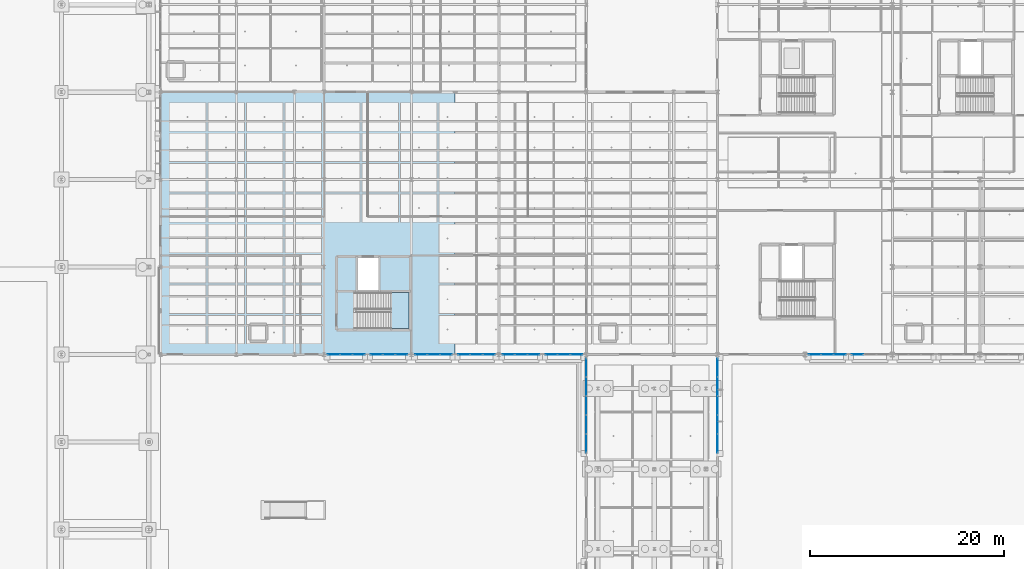
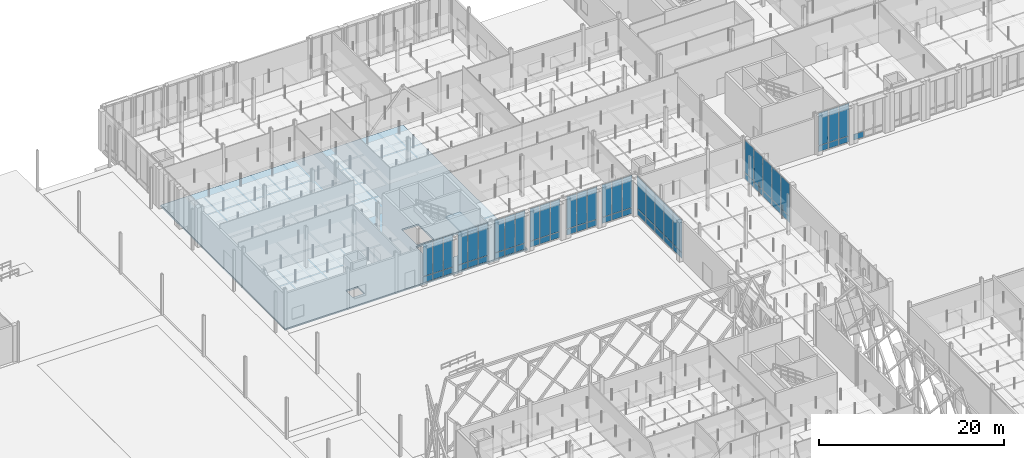
# One storey, part 72 of 180: 63 plates, 2 slabs, 11 elements without a shape of their own.
"""IFC4 building model written with IfcOpenShell, lengths in metres."""

from ifc_helpers import new_model, si_unit, direction, frame, origin, origin_2d, place, context, subcontext, project, spatial, polyline, rectangle, outline, extrude, material, layer, layer_set, type_object, element, aggregate, save


model = new_model("IFC4")

# Units and contexts
model_context = context("Model", 3, precision=1e-05, world=origin(), true_north=direction((0.0, 1.0)))
body_context = subcontext(model_context, "Body", "Model", "MODEL_VIEW")
ifc_project = project(units=[si_unit("LENGTHUNIT", "METRE"), si_unit("AREAUNIT", "SQUARE_METRE"), si_unit("VOLUMEUNIT", "CUBIC_METRE"), si_unit("PLANEANGLEUNIT", "RADIAN"), si_unit("MASSUNIT", "GRAM", prefix="KILO"), si_unit("THERMODYNAMICTEMPERATUREUNIT", "KELVIN"), si_unit("POWERUNIT", "WATT")], contexts=[model_context])

# Site, building, storey
site_placement = place(None, origin())
site = spatial("IfcSite", under=ifc_project, at=site_placement, CompositionType="ELEMENT")
building_placement = place(site_placement, origin())
building = spatial("IfcBuilding", under=site, at=building_placement, Name="Tallowbark Science Centre", CompositionType="ELEMENT")
storey_placement = place(building_placement, origin())
storey = spatial("IfcBuildingStorey", under=building, at=storey_placement, Name="L00", CompositionType="ELEMENT", Elevation=0.0)

# Curtain wall, plates
ifc_material_1 = material(Name="Unitised Thermally Broken Aluminium and Low-E Double Glazing", Category="aluminium")
curtain_wall_type = type_object("IfcCurtainWallType", Name="CW-SYS-FACADE", PredefinedType="NOTDEFINED", material=ifc_material_1)
curtain_wall_1_placement = place(storey_placement, origin())
curtain_wall_1 = element("IfcCurtainWall", 1, at=curtain_wall_1_placement, inside=storey, type_object=curtain_wall_type, Name="Unitised Curtain Wall LNK-W-2 CW-L00-008", PredefinedType="NOTDEFINED")
ifc_material_2 = material(Name="Double Glazed Argon Low-E Vision Glass", Category="glass")
ifc_layer_1 = layer(ifc_material_2, 0.028076171875)
ifc_layer_set_1 = layer_set([ifc_layer_1], Name="Double Glazed Argon Low-E Vision Glass")
plate_type_1 = type_object("IfcPlateType", Name="CWP-GLZ-28", PredefinedType="CURTAIN_PANEL", material=ifc_layer_set_1)
plate_1_placement = place(storey_placement, frame((99.0, 70.65380859375, 0.054931640625), z_axis=(0.0, 0.0, 1.0), x_axis=(0.0, -1.0, 0.0)))
plate_1 = element("IfcPlate", 2, at=plate_1_placement, type_object=plate_type_1, Name="CW-01 panel 1.1", PredefinedType="CURTAIN_PANEL", context=body_context, shape_type="SweptSolid", body=[
    extrude(rectangle(XDim=1.862548828125, YDim=0.028076171875, at=origin_2d()), origin(), (0.0, 0.0, 1.0), 0.767578125),
])
plate_2_placement = place(storey_placement, frame((99.0, 70.65380859375, 0.87744140625), z_axis=(0.0, 0.0, 1.0), x_axis=(0.0, -1.0, 0.0)))
plate_2 = element("IfcPlate", 3, at=plate_2_placement, type_object=plate_type_1, Name="CW-01 panel 1.2", PredefinedType="CURTAIN_PANEL", context=body_context, shape_type="SweptSolid", body=[
    extrude(rectangle(XDim=1.862548828125, YDim=0.028076171875, at=origin_2d()), origin(), (0.0, 0.0, 1.0), 4.28759765625),
])
plate_3_placement = place(storey_placement, frame((99.0, 68.7099609375, 0.054931640625), z_axis=(0.0, 0.0, 1.0), x_axis=(0.0, -1.0, 0.0)))
plate_3 = element("IfcPlate", 4, at=plate_3_placement, type_object=plate_type_1, Name="CW-01 panel 2.1", PredefinedType="CURTAIN_PANEL", context=body_context, shape_type="SweptSolid", body=[
    extrude(rectangle(XDim=1.89501953125, YDim=0.028076171875, at=origin_2d()), origin(), (0.0, 0.0, 1.0), 0.767578125),
])
plate_4_placement = place(storey_placement, frame((99.0, 68.7099609375, 0.87744140625), z_axis=(0.0, 0.0, 1.0), x_axis=(0.0, -1.0, 0.0)))
plate_4 = element("IfcPlate", 5, at=plate_4_placement, type_object=plate_type_1, Name="CW-01 panel 2.2", PredefinedType="CURTAIN_PANEL", context=body_context, shape_type="SweptSolid", body=[
    extrude(rectangle(XDim=1.89501953125, YDim=0.028076171875, at=origin_2d()), origin(), (0.0, 0.0, 1.0), 4.28759765625),
])
plate_5_placement = place(storey_placement, frame((99.0, 66.75, 0.054931640625), z_axis=(0.0, 0.0, 1.0), x_axis=(0.0, -1.0, 0.0)))
plate_5 = element("IfcPlate", 6, at=plate_5_placement, type_object=plate_type_1, Name="CW-01 panel 3.1", PredefinedType="CURTAIN_PANEL", context=body_context, shape_type="SweptSolid", body=[
    extrude(rectangle(XDim=1.89501953125, YDim=0.028076171875, at=origin_2d()), origin(), (0.0, 0.0, 1.0), 0.767578125),
])
plate_6_placement = place(storey_placement, frame((99.0, 66.75, 0.87744140625), z_axis=(0.0, 0.0, 1.0), x_axis=(0.0, -1.0, 0.0)))
plate_6 = element("IfcPlate", 7, at=plate_6_placement, type_object=plate_type_1, Name="CW-01 panel 3.2", PredefinedType="CURTAIN_PANEL", context=body_context, shape_type="SweptSolid", body=[
    extrude(rectangle(XDim=1.89501953125, YDim=0.028076171875, at=origin_2d()), origin(), (0.0, 0.0, 1.0), 4.28759765625),
])
plate_7_placement = place(storey_placement, frame((99.0, 64.7900390625, 0.054931640625), z_axis=(0.0, 0.0, 1.0), x_axis=(0.0, -1.0, 0.0)))
plate_7 = element("IfcPlate", 8, at=plate_7_placement, type_object=plate_type_1, Name="CW-01 panel 4.1", PredefinedType="CURTAIN_PANEL", context=body_context, shape_type="SweptSolid", body=[
    extrude(rectangle(XDim=1.89501953125, YDim=0.028076171875, at=origin_2d()), origin(), (0.0, 0.0, 1.0), 0.767578125),
])
plate_8_placement = place(storey_placement, frame((99.0, 64.7900390625, 0.87744140625), z_axis=(0.0, 0.0, 1.0), x_axis=(0.0, -1.0, 0.0)))
plate_8 = element("IfcPlate", 9, at=plate_8_placement, type_object=plate_type_1, Name="CW-01 panel 4.2", PredefinedType="CURTAIN_PANEL", context=body_context, shape_type="SweptSolid", body=[
    extrude(rectangle(XDim=1.89501953125, YDim=0.028076171875, at=origin_2d()), origin(), (0.0, 0.0, 1.0), 4.28759765625),
])
plate_9_placement = place(storey_placement, frame((99.0, 62.84619140625, 0.054931640625), z_axis=(0.0, 0.0, 1.0), x_axis=(0.0, -1.0, 0.0)))
plate_9 = element("IfcPlate", 10, at=plate_9_placement, type_object=plate_type_1, Name="CW-01 panel 5.1", PredefinedType="CURTAIN_PANEL", context=body_context, shape_type="SweptSolid", body=[
    extrude(rectangle(XDim=1.862548828125, YDim=0.028076171875, at=origin_2d()), origin(), (0.0, 0.0, 1.0), 0.767578125),
])
plate_10_placement = place(storey_placement, frame((99.0, 62.84619140625, 0.87744140625), z_axis=(0.0, 0.0, 1.0), x_axis=(0.0, -1.0, 0.0)))
plate_10 = element("IfcPlate", 11, at=plate_10_placement, type_object=plate_type_1, Name="CW-01 panel 5.2", PredefinedType="CURTAIN_PANEL", context=body_context, shape_type="SweptSolid", body=[
    extrude(rectangle(XDim=1.862548828125, YDim=0.028076171875, at=origin_2d()), origin(), (0.0, 0.0, 1.0), 4.28759765625),
])
aggregate(curtain_wall_1, [plate_1, plate_2, plate_3, plate_4, plate_5, plate_6, plate_7, plate_8, plate_9, plate_10])

curtain_wall_2_placement = place(storey_placement, origin())
curtain_wall_2 = element("IfcCurtainWall", 12, at=curtain_wall_2_placement, inside=storey, type_object=curtain_wall_type, Name="Unitised Curtain Wall LAB-S-72A CW-L00-022", PredefinedType="NOTDEFINED")
plate_11_placement = place(storey_placement, frame((73.016357421875, 72.0, 0.054931640625), z_axis=(0.0, 0.0, 1.0), x_axis=(1.0, 0.0, 0.0)))
plate_11 = element("IfcPlate", 13, at=plate_11_placement, type_object=plate_type_1, Name="CW-01 panel 1.1", PredefinedType="CURTAIN_PANEL", context=body_context, shape_type="SweptSolid", body=[
    extrude(rectangle(XDim=1.202392578125, YDim=0.028076171875, at=origin_2d()), origin(), (0.0, 0.0, 1.0), 0.767578125),
])
plate_12_placement = place(storey_placement, frame((73.016357421875, 72.0, 0.87744140625), z_axis=(0.0, 0.0, 1.0), x_axis=(1.0, 0.0, 0.0)))
plate_12 = element("IfcPlate", 14, at=plate_12_placement, type_object=plate_type_1, Name="CW-01 panel 1.2", PredefinedType="CURTAIN_PANEL", context=body_context, shape_type="SweptSolid", body=[
    extrude(rectangle(XDim=1.202392578125, YDim=0.028076171875, at=origin_2d()), origin(), (0.0, 0.0, 1.0), 4.28759765625),
])
plate_13_placement = place(storey_placement, frame((74.300048828125, 72.0, 0.054931640625), z_axis=(0.0, 0.0, 1.0), x_axis=(1.0, 0.0, 0.0)))
plate_13 = element("IfcPlate", 15, at=plate_13_placement, type_object=plate_type_1, Name="CW-01 panel 2.1", PredefinedType="CURTAIN_PANEL", context=body_context, shape_type="SweptSolid", body=[
    extrude(rectangle(XDim=1.235107421875, YDim=0.028076171875, at=origin_2d()), origin(), (0.0, 0.0, 1.0), 0.767578125),
])
plate_14_placement = place(storey_placement, frame((74.300048828125, 72.0, 0.87744140625), z_axis=(0.0, 0.0, 1.0), x_axis=(1.0, 0.0, 0.0)))
plate_14 = element("IfcPlate", 16, at=plate_14_placement, type_object=plate_type_1, Name="CW-01 panel 2.2", PredefinedType="CURTAIN_PANEL", context=body_context, shape_type="SweptSolid", body=[
    extrude(rectangle(XDim=1.235107421875, YDim=0.028076171875, at=origin_2d()), origin(), (0.0, 0.0, 1.0), 4.28759765625),
])
plate_15_placement = place(storey_placement, frame((75.583740234375, 72.0, 0.054931640625), z_axis=(0.0, 0.0, 1.0), x_axis=(1.0, 0.0, 0.0)))
plate_15 = element("IfcPlate", 17, at=plate_15_placement, type_object=plate_type_1, Name="CW-01 panel 3.1", PredefinedType="CURTAIN_PANEL", context=body_context, shape_type="SweptSolid", body=[
    extrude(rectangle(XDim=1.202392578125, YDim=0.028076171875, at=origin_2d()), origin(), (0.0, 0.0, 1.0), 0.767578125),
])
plate_16_placement = place(storey_placement, frame((75.583740234375, 72.0, 0.87744140625), z_axis=(0.0, 0.0, 1.0), x_axis=(1.0, 0.0, 0.0)))
plate_16 = element("IfcPlate", 18, at=plate_16_placement, type_object=plate_type_1, Name="CW-01 panel 3.2", PredefinedType="CURTAIN_PANEL", context=body_context, shape_type="SweptSolid", body=[
    extrude(rectangle(XDim=1.202392578125, YDim=0.028076171875, at=origin_2d()), origin(), (0.0, 0.0, 1.0), 4.28759765625),
])
aggregate(curtain_wall_2, [plate_11, plate_12, plate_13, plate_14, plate_15, plate_16])

curtain_wall_3_placement = place(storey_placement, origin())
curtain_wall_3 = element("IfcCurtainWall", 19, at=curtain_wall_3_placement, inside=storey, type_object=curtain_wall_type, Name="Unitised Curtain Wall LAB-S-72B CW-L00-023", PredefinedType="NOTDEFINED")
plate_17_placement = place(storey_placement, frame((77.416259765625, 72.0, 0.054931640625), z_axis=(0.0, 0.0, 1.0), x_axis=(1.0, 0.0, 0.0)))
plate_17 = element("IfcPlate", 20, at=plate_17_placement, type_object=plate_type_1, Name="CW-01 panel 1.1", PredefinedType="CURTAIN_PANEL", context=body_context, shape_type="SweptSolid", body=[
    extrude(rectangle(XDim=1.202392578125, YDim=0.028076171875, at=origin_2d()), origin(), (0.0, 0.0, 1.0), 0.767578125),
])
plate_18_placement = place(storey_placement, frame((77.416259765625, 72.0, 0.87744140625), z_axis=(0.0, 0.0, 1.0), x_axis=(1.0, 0.0, 0.0)))
plate_18 = element("IfcPlate", 21, at=plate_18_placement, type_object=plate_type_1, Name="CW-01 panel 1.2", PredefinedType="CURTAIN_PANEL", context=body_context, shape_type="SweptSolid", body=[
    extrude(rectangle(XDim=1.202392578125, YDim=0.028076171875, at=origin_2d()), origin(), (0.0, 0.0, 1.0), 4.28759765625),
])
plate_19_placement = place(storey_placement, frame((78.699951171875, 72.0, 0.054931640625), z_axis=(0.0, 0.0, 1.0), x_axis=(1.0, 0.0, 0.0)))
plate_19 = element("IfcPlate", 22, at=plate_19_placement, type_object=plate_type_1, Name="CW-01 panel 2.1", PredefinedType="CURTAIN_PANEL", context=body_context, shape_type="SweptSolid", body=[
    extrude(rectangle(XDim=1.235107421875, YDim=0.028076171875, at=origin_2d()), origin(), (0.0, 0.0, 1.0), 0.767578125),
])
plate_20_placement = place(storey_placement, frame((78.699951171875, 72.0, 0.87744140625), z_axis=(0.0, 0.0, 1.0), x_axis=(1.0, 0.0, 0.0)))
plate_20 = element("IfcPlate", 23, at=plate_20_placement, type_object=plate_type_1, Name="CW-01 panel 2.2", PredefinedType="CURTAIN_PANEL", context=body_context, shape_type="SweptSolid", body=[
    extrude(rectangle(XDim=1.235107421875, YDim=0.028076171875, at=origin_2d()), origin(), (0.0, 0.0, 1.0), 4.28759765625),
])
plate_21_placement = place(storey_placement, frame((79.983642578125, 72.0, 0.054931640625), z_axis=(0.0, 0.0, 1.0), x_axis=(1.0, 0.0, 0.0)))
plate_21 = element("IfcPlate", 24, at=plate_21_placement, type_object=plate_type_1, Name="CW-01 panel 3.1", PredefinedType="CURTAIN_PANEL", context=body_context, shape_type="SweptSolid", body=[
    extrude(rectangle(XDim=1.202392578125, YDim=0.028076171875, at=origin_2d()), origin(), (0.0, 0.0, 1.0), 0.767578125),
])
plate_22_placement = place(storey_placement, frame((79.983642578125, 72.0, 0.87744140625), z_axis=(0.0, 0.0, 1.0), x_axis=(1.0, 0.0, 0.0)))
plate_22 = element("IfcPlate", 25, at=plate_22_placement, type_object=plate_type_1, Name="CW-01 panel 3.2", PredefinedType="CURTAIN_PANEL", context=body_context, shape_type="SweptSolid", body=[
    extrude(rectangle(XDim=1.202392578125, YDim=0.028076171875, at=origin_2d()), origin(), (0.0, 0.0, 1.0), 4.28759765625),
])
aggregate(curtain_wall_3, [plate_17, plate_18, plate_19, plate_20, plate_21, plate_22])

curtain_wall_4_placement = place(storey_placement, origin())
curtain_wall_4 = element("IfcCurtainWall", 26, at=curtain_wall_4_placement, inside=storey, type_object=curtain_wall_type, Name="Unitised Curtain Wall LAB-S-81B CW-L00-025", PredefinedType="NOTDEFINED")
plate_23_placement = place(storey_placement, frame((86.416259765625, 72.0, 0.054931640625), z_axis=(0.0, 0.0, 1.0), x_axis=(1.0, 0.0, 0.0)))
plate_23 = element("IfcPlate", 27, at=plate_23_placement, type_object=plate_type_1, Name="CW-01 panel 1.1", PredefinedType="CURTAIN_PANEL", context=body_context, shape_type="SweptSolid", body=[
    extrude(rectangle(XDim=1.202392578125, YDim=0.028076171875, at=origin_2d()), origin(), (0.0, 0.0, 1.0), 0.767578125),
])
plate_24_placement = place(storey_placement, frame((86.416259765625, 72.0, 0.87744140625), z_axis=(0.0, 0.0, 1.0), x_axis=(1.0, 0.0, 0.0)))
plate_24 = element("IfcPlate", 28, at=plate_24_placement, type_object=plate_type_1, Name="CW-01 panel 1.2", PredefinedType="CURTAIN_PANEL", context=body_context, shape_type="SweptSolid", body=[
    extrude(rectangle(XDim=1.202392578125, YDim=0.028076171875, at=origin_2d()), origin(), (0.0, 0.0, 1.0), 4.28759765625),
])
plate_25_placement = place(storey_placement, frame((87.699951171875, 72.0, 0.054931640625), z_axis=(0.0, 0.0, 1.0), x_axis=(1.0, 0.0, 0.0)))
plate_25 = element("IfcPlate", 29, at=plate_25_placement, type_object=plate_type_1, Name="CW-01 panel 2.1", PredefinedType="CURTAIN_PANEL", context=body_context, shape_type="SweptSolid", body=[
    extrude(rectangle(XDim=1.235107421875, YDim=0.028076171875, at=origin_2d()), origin(), (0.0, 0.0, 1.0), 0.767578125),
])
plate_26_placement = place(storey_placement, frame((87.699951171875, 72.0, 0.87744140625), z_axis=(0.0, 0.0, 1.0), x_axis=(1.0, 0.0, 0.0)))
plate_26 = element("IfcPlate", 30, at=plate_26_placement, type_object=plate_type_1, Name="CW-01 panel 2.2", PredefinedType="CURTAIN_PANEL", context=body_context, shape_type="SweptSolid", body=[
    extrude(rectangle(XDim=1.235107421875, YDim=0.028076171875, at=origin_2d()), origin(), (0.0, 0.0, 1.0), 4.28759765625),
])
plate_27_placement = place(storey_placement, frame((88.983642578125, 72.0, 0.054931640625), z_axis=(0.0, 0.0, 1.0), x_axis=(1.0, 0.0, 0.0)))
plate_27 = element("IfcPlate", 31, at=plate_27_placement, type_object=plate_type_1, Name="CW-01 panel 3.1", PredefinedType="CURTAIN_PANEL", context=body_context, shape_type="SweptSolid", body=[
    extrude(rectangle(XDim=1.202392578125, YDim=0.028076171875, at=origin_2d()), origin(), (0.0, 0.0, 1.0), 0.767578125),
])
plate_28_placement = place(storey_placement, frame((88.983642578125, 72.0, 0.87744140625), z_axis=(0.0, 0.0, 1.0), x_axis=(1.0, 0.0, 0.0)))
plate_28 = element("IfcPlate", 32, at=plate_28_placement, type_object=plate_type_1, Name="CW-01 panel 3.2", PredefinedType="CURTAIN_PANEL", context=body_context, shape_type="SweptSolid", body=[
    extrude(rectangle(XDim=1.202392578125, YDim=0.028076171875, at=origin_2d()), origin(), (0.0, 0.0, 1.0), 4.28759765625),
])
aggregate(curtain_wall_4, [plate_23, plate_24, plate_25, plate_26, plate_27, plate_28])

curtain_wall_5_placement = place(storey_placement, origin())
curtain_wall_5 = element("IfcCurtainWall", 33, at=curtain_wall_5_placement, inside=storey, type_object=curtain_wall_type, Name="Unitised Curtain Wall LAB-S-90A CW-L00-026", PredefinedType="NOTDEFINED")
plate_29_placement = place(storey_placement, frame((91.016357421875, 72.0, 0.054931640625), z_axis=(0.0, 0.0, 1.0), x_axis=(1.0, 0.0, 0.0)))
plate_29 = element("IfcPlate", 34, at=plate_29_placement, type_object=plate_type_1, Name="CW-01 panel 1.1", PredefinedType="CURTAIN_PANEL", context=body_context, shape_type="SweptSolid", body=[
    extrude(rectangle(XDim=1.202392578125, YDim=0.028076171875, at=origin_2d()), origin(), (0.0, 0.0, 1.0), 0.767578125),
])
plate_30_placement = place(storey_placement, frame((91.016357421875, 72.0, 0.87744140625), z_axis=(0.0, 0.0, 1.0), x_axis=(1.0, 0.0, 0.0)))
plate_30 = element("IfcPlate", 35, at=plate_30_placement, type_object=plate_type_1, Name="CW-01 panel 1.2", PredefinedType="CURTAIN_PANEL", context=body_context, shape_type="SweptSolid", body=[
    extrude(rectangle(XDim=1.202392578125, YDim=0.028076171875, at=origin_2d()), origin(), (0.0, 0.0, 1.0), 4.28759765625),
])
plate_31_placement = place(storey_placement, frame((92.300048828125, 72.0, 0.054931640625), z_axis=(0.0, 0.0, 1.0), x_axis=(1.0, 0.0, 0.0)))
plate_31 = element("IfcPlate", 36, at=plate_31_placement, type_object=plate_type_1, Name="CW-01 panel 2.1", PredefinedType="CURTAIN_PANEL", context=body_context, shape_type="SweptSolid", body=[
    extrude(rectangle(XDim=1.235107421875, YDim=0.028076171875, at=origin_2d()), origin(), (0.0, 0.0, 1.0), 0.767578125),
])
plate_32_placement = place(storey_placement, frame((92.300048828125, 72.0, 0.87744140625), z_axis=(0.0, 0.0, 1.0), x_axis=(1.0, 0.0, 0.0)))
plate_32 = element("IfcPlate", 37, at=plate_32_placement, type_object=plate_type_1, Name="CW-01 panel 2.2", PredefinedType="CURTAIN_PANEL", context=body_context, shape_type="SweptSolid", body=[
    extrude(rectangle(XDim=1.235107421875, YDim=0.028076171875, at=origin_2d()), origin(), (0.0, 0.0, 1.0), 4.28759765625),
])
plate_33_placement = place(storey_placement, frame((93.583740234375, 72.0, 0.054931640625), z_axis=(0.0, 0.0, 1.0), x_axis=(1.0, 0.0, 0.0)))
plate_33 = element("IfcPlate", 38, at=plate_33_placement, type_object=plate_type_1, Name="CW-01 panel 3.1", PredefinedType="CURTAIN_PANEL", context=body_context, shape_type="SweptSolid", body=[
    extrude(rectangle(XDim=1.202392578125, YDim=0.028076171875, at=origin_2d()), origin(), (0.0, 0.0, 1.0), 0.767578125),
])
plate_34_placement = place(storey_placement, frame((93.583740234375, 72.0, 0.87744140625), z_axis=(0.0, 0.0, 1.0), x_axis=(1.0, 0.0, 0.0)))
plate_34 = element("IfcPlate", 39, at=plate_34_placement, type_object=plate_type_1, Name="CW-01 panel 3.2", PredefinedType="CURTAIN_PANEL", context=body_context, shape_type="SweptSolid", body=[
    extrude(rectangle(XDim=1.202392578125, YDim=0.028076171875, at=origin_2d()), origin(), (0.0, 0.0, 1.0), 4.28759765625),
])
aggregate(curtain_wall_5, [plate_29, plate_30, plate_31, plate_32, plate_33, plate_34])

curtain_wall_6_placement = place(storey_placement, origin())
curtain_wall_6 = element("IfcCurtainWall", 40, at=curtain_wall_6_placement, inside=storey, type_object=curtain_wall_type, Name="Unitised Curtain Wall OBS-S-121A CW-L00-092", PredefinedType="NOTDEFINED")
plate_35_placement = place(storey_placement, frame((122.516357421875, 72.0, 0.054931640625), z_axis=(0.0, 0.0, 1.0), x_axis=(1.0, 0.0, 0.0)))
plate_35 = element("IfcPlate", 41, at=plate_35_placement, type_object=plate_type_1, Name="CW-01 panel 1.1", PredefinedType="CURTAIN_PANEL", context=body_context, shape_type="SweptSolid", body=[
    extrude(rectangle(XDim=1.202392578125, YDim=0.028076171875, at=origin_2d()), origin(), (0.0, 0.0, 1.0), 0.767578125),
])
plate_36_placement = place(storey_placement, frame((122.516357421875, 72.0, 0.87744140625), z_axis=(0.0, 0.0, 1.0), x_axis=(1.0, 0.0, 0.0)))
plate_36 = element("IfcPlate", 42, at=plate_36_placement, type_object=plate_type_1, Name="CW-01 panel 1.2", PredefinedType="CURTAIN_PANEL", context=body_context, shape_type="SweptSolid", body=[
    extrude(rectangle(XDim=1.202392578125, YDim=0.028076171875, at=origin_2d()), origin(), (0.0, 0.0, 1.0), 4.28759765625),
])
plate_37_placement = place(storey_placement, frame((123.800048828125, 72.0, 0.054931640625), z_axis=(0.0, 0.0, 1.0), x_axis=(1.0, 0.0, 0.0)))
plate_37 = element("IfcPlate", 43, at=plate_37_placement, type_object=plate_type_1, Name="CW-01 panel 2.1", PredefinedType="CURTAIN_PANEL", context=body_context, shape_type="SweptSolid", body=[
    extrude(rectangle(XDim=1.235107421875, YDim=0.028076171875, at=origin_2d()), origin(), (0.0, 0.0, 1.0), 0.767578125),
])
plate_38_placement = place(storey_placement, frame((123.800048828125, 72.0, 0.87744140625), z_axis=(0.0, 0.0, 1.0), x_axis=(1.0, 0.0, 0.0)))
plate_38 = element("IfcPlate", 44, at=plate_38_placement, type_object=plate_type_1, Name="CW-01 panel 2.2", PredefinedType="CURTAIN_PANEL", context=body_context, shape_type="SweptSolid", body=[
    extrude(rectangle(XDim=1.235107421875, YDim=0.028076171875, at=origin_2d()), origin(), (0.0, 0.0, 1.0), 4.28759765625),
])
plate_39_placement = place(storey_placement, frame((125.083740234375, 72.0, 0.054931640625), z_axis=(0.0, 0.0, 1.0), x_axis=(1.0, 0.0, 0.0)))
plate_39 = element("IfcPlate", 45, at=plate_39_placement, type_object=plate_type_1, Name="CW-01 panel 3.1", PredefinedType="CURTAIN_PANEL", context=body_context, shape_type="SweptSolid", body=[
    extrude(rectangle(XDim=1.202392578125, YDim=0.028076171875, at=origin_2d()), origin(), (0.0, 0.0, 1.0), 0.767578125),
])
plate_40_placement = place(storey_placement, frame((125.083740234375, 72.0, 0.87744140625), z_axis=(0.0, 0.0, 1.0), x_axis=(1.0, 0.0, 0.0)))
plate_40 = element("IfcPlate", 46, at=plate_40_placement, type_object=plate_type_1, Name="CW-01 panel 3.2", PredefinedType="CURTAIN_PANEL", context=body_context, shape_type="SweptSolid", body=[
    extrude(rectangle(XDim=1.202392578125, YDim=0.028076171875, at=origin_2d()), origin(), (0.0, 0.0, 1.0), 4.28759765625),
])
aggregate(curtain_wall_6, [plate_35, plate_36, plate_37, plate_38, plate_39, plate_40])

curtain_wall_7_placement = place(storey_placement, origin())
curtain_wall_7 = element("IfcCurtainWall", 47, at=curtain_wall_7_placement, inside=storey, type_object=curtain_wall_type, Name="Unitised Curtain Wall LNK-E-2 CW-L00-009", PredefinedType="NOTDEFINED")
ifc_material_3 = material(Name="Ceramic-Fritted Insulated Glass Spandrel Panel", Category="glass")
ifc_layer_2 = layer(ifc_material_3, 0.031982421875)
ifc_layer_set_2 = layer_set([ifc_layer_2], Name="Ceramic-Fritted Insulated Glass Spandrel Panel")
plate_type_2 = type_object("IfcPlateType", Name="CWP-SPN-32", PredefinedType="CURTAIN_PANEL", material=ifc_layer_set_2)
plate_41_placement = place(storey_placement, frame((112.5, 62.84619140625, 0.054931640625), z_axis=(0.0, 0.0, 1.0), x_axis=(0.0, 1.0, 0.0)))
plate_41 = element("IfcPlate", 48, at=plate_41_placement, type_object=plate_type_2, Name="CW-01 panel 1.1", PredefinedType="CURTAIN_PANEL", context=body_context, shape_type="SweptSolid", body=[
    extrude(rectangle(XDim=1.862548828125, YDim=0.031982421875, at=origin_2d()), origin(), (0.0, 0.0, 1.0), 0.767578125),
])
plate_42_placement = place(storey_placement, frame((112.5, 62.84619140625, 0.87744140625), z_axis=(0.0, 0.0, 1.0), x_axis=(0.0, 1.0, 0.0)))
plate_42 = element("IfcPlate", 49, at=plate_42_placement, type_object=plate_type_2, Name="CW-01 panel 1.2", PredefinedType="CURTAIN_PANEL", context=body_context, shape_type="SweptSolid", body=[
    extrude(rectangle(XDim=1.862548828125, YDim=0.031982421875, at=origin_2d()), origin(), (0.0, 0.0, 1.0), 4.28759765625),
])
plate_43_placement = place(storey_placement, frame((112.5, 64.7900390625, 0.054931640625), z_axis=(0.0, 0.0, 1.0), x_axis=(0.0, 1.0, 0.0)))
plate_43 = element("IfcPlate", 50, at=plate_43_placement, type_object=plate_type_2, Name="CW-01 panel 2.1", PredefinedType="CURTAIN_PANEL", context=body_context, shape_type="SweptSolid", body=[
    extrude(rectangle(XDim=1.89501953125, YDim=0.031982421875, at=origin_2d()), origin(), (0.0, 0.0, 1.0), 0.767578125),
])
plate_44_placement = place(storey_placement, frame((112.5, 64.7900390625, 0.87744140625), z_axis=(0.0, 0.0, 1.0), x_axis=(0.0, 1.0, 0.0)))
plate_44 = element("IfcPlate", 51, at=plate_44_placement, type_object=plate_type_2, Name="CW-01 panel 2.2", PredefinedType="CURTAIN_PANEL", context=body_context, shape_type="SweptSolid", body=[
    extrude(rectangle(XDim=1.89501953125, YDim=0.031982421875, at=origin_2d()), origin(), (0.0, 0.0, 1.0), 4.28759765625),
])
plate_45_placement = place(storey_placement, frame((112.5, 66.75, 0.054931640625), z_axis=(0.0, 0.0, 1.0), x_axis=(0.0, 1.0, 0.0)))
plate_45 = element("IfcPlate", 52, at=plate_45_placement, type_object=plate_type_2, Name="CW-01 panel 3.1", PredefinedType="CURTAIN_PANEL", context=body_context, shape_type="SweptSolid", body=[
    extrude(rectangle(XDim=1.89501953125, YDim=0.031982421875, at=origin_2d()), origin(), (0.0, 0.0, 1.0), 0.767578125),
])
plate_46_placement = place(storey_placement, frame((112.5, 66.75, 0.87744140625), z_axis=(0.0, 0.0, 1.0), x_axis=(0.0, 1.0, 0.0)))
plate_46 = element("IfcPlate", 53, at=plate_46_placement, type_object=plate_type_2, Name="CW-01 panel 3.2", PredefinedType="CURTAIN_PANEL", context=body_context, shape_type="SweptSolid", body=[
    extrude(rectangle(XDim=1.89501953125, YDim=0.031982421875, at=origin_2d()), origin(), (0.0, 0.0, 1.0), 4.28759765625),
])
plate_47_placement = place(storey_placement, frame((112.5, 68.7099609375, 0.054931640625), z_axis=(0.0, 0.0, 1.0), x_axis=(0.0, 1.0, 0.0)))
plate_47 = element("IfcPlate", 54, at=plate_47_placement, type_object=plate_type_2, Name="CW-01 panel 4.1", PredefinedType="CURTAIN_PANEL", context=body_context, shape_type="SweptSolid", body=[
    extrude(rectangle(XDim=1.89501953125, YDim=0.031982421875, at=origin_2d()), origin(), (0.0, 0.0, 1.0), 0.767578125),
])
plate_48_placement = place(storey_placement, frame((112.5, 68.7099609375, 0.87744140625), z_axis=(0.0, 0.0, 1.0), x_axis=(0.0, 1.0, 0.0)))
plate_48 = element("IfcPlate", 55, at=plate_48_placement, type_object=plate_type_2, Name="CW-01 panel 4.2", PredefinedType="CURTAIN_PANEL", context=body_context, shape_type="SweptSolid", body=[
    extrude(rectangle(XDim=1.89501953125, YDim=0.031982421875, at=origin_2d()), origin(), (0.0, 0.0, 1.0), 4.28759765625),
])
plate_49_placement = place(storey_placement, frame((112.5, 70.65380859375, 0.054931640625), z_axis=(0.0, 0.0, 1.0), x_axis=(0.0, 1.0, 0.0)))
plate_49 = element("IfcPlate", 56, at=plate_49_placement, type_object=plate_type_2, Name="CW-01 panel 5.1", PredefinedType="CURTAIN_PANEL", context=body_context, shape_type="SweptSolid", body=[
    extrude(rectangle(XDim=1.862548828125, YDim=0.031982421875, at=origin_2d()), origin(), (0.0, 0.0, 1.0), 0.767578125),
])
plate_50_placement = place(storey_placement, frame((112.5, 70.65380859375, 0.87744140625), z_axis=(0.0, 0.0, 1.0), x_axis=(0.0, 1.0, 0.0)))
plate_50 = element("IfcPlate", 57, at=plate_50_placement, type_object=plate_type_2, Name="CW-01 panel 5.2", PredefinedType="CURTAIN_PANEL", context=body_context, shape_type="SweptSolid", body=[
    extrude(rectangle(XDim=1.862548828125, YDim=0.031982421875, at=origin_2d()), origin(), (0.0, 0.0, 1.0), 4.28759765625),
])
aggregate(curtain_wall_7, [plate_41, plate_42, plate_43, plate_44, plate_45, plate_46, plate_47, plate_48, plate_49, plate_50])

curtain_wall_8_placement = place(storey_placement, origin())
curtain_wall_8 = element("IfcCurtainWall", 58, at=curtain_wall_8_placement, inside=storey, type_object=curtain_wall_type, Name="Unitised Curtain Wall LAB-S-81A CW-L00-024", PredefinedType="NOTDEFINED")
plate_51_placement = place(storey_placement, frame((82.016357421875, 72.0, 0.054931640625), z_axis=(0.0, 0.0, 1.0), x_axis=(1.0, 0.0, 0.0)))
plate_51 = element("IfcPlate", 59, at=plate_51_placement, type_object=plate_type_2, Name="CW-01 panel 1.1", PredefinedType="CURTAIN_PANEL", context=body_context, shape_type="SweptSolid", body=[
    extrude(rectangle(XDim=1.202392578125, YDim=0.031982421875, at=origin_2d()), origin(), (0.0, 0.0, 1.0), 0.767578125),
])
plate_52_placement = place(storey_placement, frame((82.016357421875, 72.0, 0.87744140625), z_axis=(0.0, 0.0, 1.0), x_axis=(1.0, 0.0, 0.0)))
plate_52 = element("IfcPlate", 60, at=plate_52_placement, type_object=plate_type_2, Name="CW-01 panel 1.2", PredefinedType="CURTAIN_PANEL", context=body_context, shape_type="SweptSolid", body=[
    extrude(rectangle(XDim=1.202392578125, YDim=0.031982421875, at=origin_2d()), origin(), (0.0, 0.0, 1.0), 4.28759765625),
])
plate_53_placement = place(storey_placement, frame((83.300048828125, 72.0, 0.054931640625), z_axis=(0.0, 0.0, 1.0), x_axis=(1.0, 0.0, 0.0)))
plate_53 = element("IfcPlate", 61, at=plate_53_placement, type_object=plate_type_2, Name="CW-01 panel 2.1", PredefinedType="CURTAIN_PANEL", context=body_context, shape_type="SweptSolid", body=[
    extrude(rectangle(XDim=1.235107421875, YDim=0.031982421875, at=origin_2d()), origin(), (0.0, 0.0, 1.0), 0.767578125),
])
plate_54_placement = place(storey_placement, frame((83.300048828125, 72.0, 0.87744140625), z_axis=(0.0, 0.0, 1.0), x_axis=(1.0, 0.0, 0.0)))
plate_54 = element("IfcPlate", 62, at=plate_54_placement, type_object=plate_type_2, Name="CW-01 panel 2.2", PredefinedType="CURTAIN_PANEL", context=body_context, shape_type="SweptSolid", body=[
    extrude(rectangle(XDim=1.235107421875, YDim=0.031982421875, at=origin_2d()), origin(), (0.0, 0.0, 1.0), 4.28759765625),
])
plate_55_placement = place(storey_placement, frame((84.583740234375, 72.0, 0.054931640625), z_axis=(0.0, 0.0, 1.0), x_axis=(1.0, 0.0, 0.0)))
plate_55 = element("IfcPlate", 63, at=plate_55_placement, type_object=plate_type_2, Name="CW-01 panel 3.1", PredefinedType="CURTAIN_PANEL", context=body_context, shape_type="SweptSolid", body=[
    extrude(rectangle(XDim=1.202392578125, YDim=0.031982421875, at=origin_2d()), origin(), (0.0, 0.0, 1.0), 0.767578125),
])
plate_56_placement = place(storey_placement, frame((84.583740234375, 72.0, 0.87744140625), z_axis=(0.0, 0.0, 1.0), x_axis=(1.0, 0.0, 0.0)))
plate_56 = element("IfcPlate", 64, at=plate_56_placement, type_object=plate_type_2, Name="CW-01 panel 3.2", PredefinedType="CURTAIN_PANEL", context=body_context, shape_type="SweptSolid", body=[
    extrude(rectangle(XDim=1.202392578125, YDim=0.031982421875, at=origin_2d()), origin(), (0.0, 0.0, 1.0), 4.28759765625),
])
aggregate(curtain_wall_8, [plate_51, plate_52, plate_53, plate_54, plate_55, plate_56])

curtain_wall_9_placement = place(storey_placement, origin())
curtain_wall_9 = element("IfcCurtainWall", 65, at=curtain_wall_9_placement, inside=storey, type_object=curtain_wall_type, Name="Unitised Curtain Wall LAB-S-90B CW-L00-027", PredefinedType="NOTDEFINED")
plate_57_placement = place(storey_placement, frame((95.416259765625, 72.0, 0.054931640625), z_axis=(0.0, 0.0, 1.0), x_axis=(1.0, 0.0, 0.0)))
plate_57 = element("IfcPlate", 66, at=plate_57_placement, type_object=plate_type_2, Name="CW-01 panel 1.1", PredefinedType="CURTAIN_PANEL", context=body_context, shape_type="SweptSolid", body=[
    extrude(rectangle(XDim=1.202392578125, YDim=0.031982421875, at=origin_2d()), origin(), (0.0, 0.0, 1.0), 0.767578125),
])
plate_58_placement = place(storey_placement, frame((95.416259765625, 72.0, 0.87744140625), z_axis=(0.0, 0.0, 1.0), x_axis=(1.0, 0.0, 0.0)))
plate_58 = element("IfcPlate", 67, at=plate_58_placement, type_object=plate_type_2, Name="CW-01 panel 1.2", PredefinedType="CURTAIN_PANEL", context=body_context, shape_type="SweptSolid", body=[
    extrude(rectangle(XDim=1.202392578125, YDim=0.031982421875, at=origin_2d()), origin(), (0.0, 0.0, 1.0), 4.28759765625),
])
plate_59_placement = place(storey_placement, frame((96.699951171875, 72.0, 0.054931640625), z_axis=(0.0, 0.0, 1.0), x_axis=(1.0, 0.0, 0.0)))
plate_59 = element("IfcPlate", 68, at=plate_59_placement, type_object=plate_type_2, Name="CW-01 panel 2.1", PredefinedType="CURTAIN_PANEL", context=body_context, shape_type="SweptSolid", body=[
    extrude(rectangle(XDim=1.235107421875, YDim=0.031982421875, at=origin_2d()), origin(), (0.0, 0.0, 1.0), 0.767578125),
])
plate_60_placement = place(storey_placement, frame((96.699951171875, 72.0, 0.87744140625), z_axis=(0.0, 0.0, 1.0), x_axis=(1.0, 0.0, 0.0)))
plate_60 = element("IfcPlate", 69, at=plate_60_placement, type_object=plate_type_2, Name="CW-01 panel 2.2", PredefinedType="CURTAIN_PANEL", context=body_context, shape_type="SweptSolid", body=[
    extrude(rectangle(XDim=1.235107421875, YDim=0.031982421875, at=origin_2d()), origin(), (0.0, 0.0, 1.0), 4.28759765625),
])
plate_61_placement = place(storey_placement, frame((97.983642578125, 72.0, 0.054931640625), z_axis=(0.0, 0.0, 1.0), x_axis=(1.0, 0.0, 0.0)))
plate_61 = element("IfcPlate", 70, at=plate_61_placement, type_object=plate_type_2, Name="CW-01 panel 3.1", PredefinedType="CURTAIN_PANEL", context=body_context, shape_type="SweptSolid", body=[
    extrude(rectangle(XDim=1.202392578125, YDim=0.031982421875, at=origin_2d()), origin(), (0.0, 0.0, 1.0), 0.767578125),
])
plate_62_placement = place(storey_placement, frame((97.983642578125, 72.0, 0.87744140625), z_axis=(0.0, 0.0, 1.0), x_axis=(1.0, 0.0, 0.0)))
plate_62 = element("IfcPlate", 71, at=plate_62_placement, type_object=plate_type_2, Name="CW-01 panel 3.2", PredefinedType="CURTAIN_PANEL", context=body_context, shape_type="SweptSolid", body=[
    extrude(rectangle(XDim=1.202392578125, YDim=0.031982421875, at=origin_2d()), origin(), (0.0, 0.0, 1.0), 4.28759765625),
])
aggregate(curtain_wall_9, [plate_57, plate_58, plate_59, plate_60, plate_61, plate_62])

# Curtain wall, plate
curtain_wall_10_placement = place(storey_placement, origin())
curtain_wall_10 = element("IfcCurtainWall", 72, at=curtain_wall_10_placement, inside=storey, type_object=curtain_wall_type, Name="Unitised Curtain Wall OBS-S-121B CW-L00-093", PredefinedType="NOTDEFINED")
plate_63_placement = place(storey_placement, frame((126.916259765625, 72.0, 0.054931640625), z_axis=(0.0, 0.0, 1.0), x_axis=(1.0, 0.0, 0.0)))
plate_63 = element("IfcPlate", 73, at=plate_63_placement, type_object=plate_type_2, Name="CW-01 panel 1.1", PredefinedType="CURTAIN_PANEL", context=body_context, shape_type="SweptSolid", body=[
    extrude(rectangle(XDim=1.202392578125, YDim=0.031982421875, at=origin_2d()), origin(), (0.0, 0.0, 1.0), 0.767578125),
])
aggregate(curtain_wall_10, [plate_63])

# Slab
ifc_material_4 = material(Name="Concrete Grade N40 (40 MPa)", Category="concrete")
ifc_layer_3 = layer(ifc_material_4, 0.219970703125)
ifc_layer_set_3 = layer_set([ifc_layer_3], Name="Concrete Grade N40 (40 MPa)")
slab_type_1 = type_object("IfcSlabType", Name="SLB-GND-220", PredefinedType="FLOOR", material=ifc_layer_set_3)
slab_1_placement = place(storey_placement, frame((0.0, 0.0, -0.219970703125)))
element("IfcSlab", 74, at=slab_1_placement, inside=storey, type_object=slab_type_1, Name="Laboratories West Slab L00 SLB-LAB-W-L00", PredefinedType="FLOOR", context=body_context, shape_type="SweptSolid", body=[
    extrude(outline(polyline([(55.199951171875, 72.0), (85.5, 72.0), (85.5, 99.0), (55.199951171875, 99.0), (55.199951171875, 72.0)]), holes=[polyline([(75.2099609375, 74.64990234375), (80.75, 74.64990234375), (80.75, 78.3701171875), (75.2099609375, 78.3701171875), (75.2099609375, 74.64990234375)]), polyline([(75.5, 78.6201171875), (77.60009765625, 78.6201171875), (77.60009765625, 81.949951171875), (75.5, 81.949951171875), (75.5, 78.6201171875)]), polyline([(64.5, 73.5), (66.0, 73.5), (66.0, 75.0), (64.5, 75.0), (64.5, 73.5)])]), origin(), (0.0, 0.0, 1.0), 0.219970703125),
])

# Stair, slab
stair_type = type_object("IfcStairType", Name="STR-C1", PredefinedType="HALF_TURN_STAIR", material=ifc_material_4)
stair_placement = place(storey_placement, origin())
stair = element("IfcStair", 75, at=stair_placement, inside=storey, type_object=stair_type, Name="L00 Fire Stair ST-01", PredefinedType="HALF_TURN_STAIR")
ifc_layer_4 = layer(ifc_material_4, 0.199951171875)
ifc_layer_set_4 = layer_set([ifc_layer_4], Name="Concrete Grade N40 (40 MPa)")
slab_type_2 = type_object("IfcSlabType", Name="SLB-LND-200", PredefinedType="LANDING", material=ifc_layer_set_4)
slab_2_placement = place(storey_placement, frame((0.0, 0.0, 2.5)))
slab_2 = element("IfcSlab", 76, at=slab_2_placement, type_object=slab_type_2, Name="ST-01 landing 1", PredefinedType="LANDING", context=body_context, shape_type="SweptSolid", body=[
    extrude(outline(polyline([(78.919921875, 74.64990234375), (80.75, 74.64990234375), (80.75, 78.3701171875), (78.919921875, 78.3701171875), (78.919921875, 74.64990234375)])), origin(), (0.0, 0.0, 1.0), 0.199951171875),
])
aggregate(stair, [slab_2])

save(model, "model.ifc")
